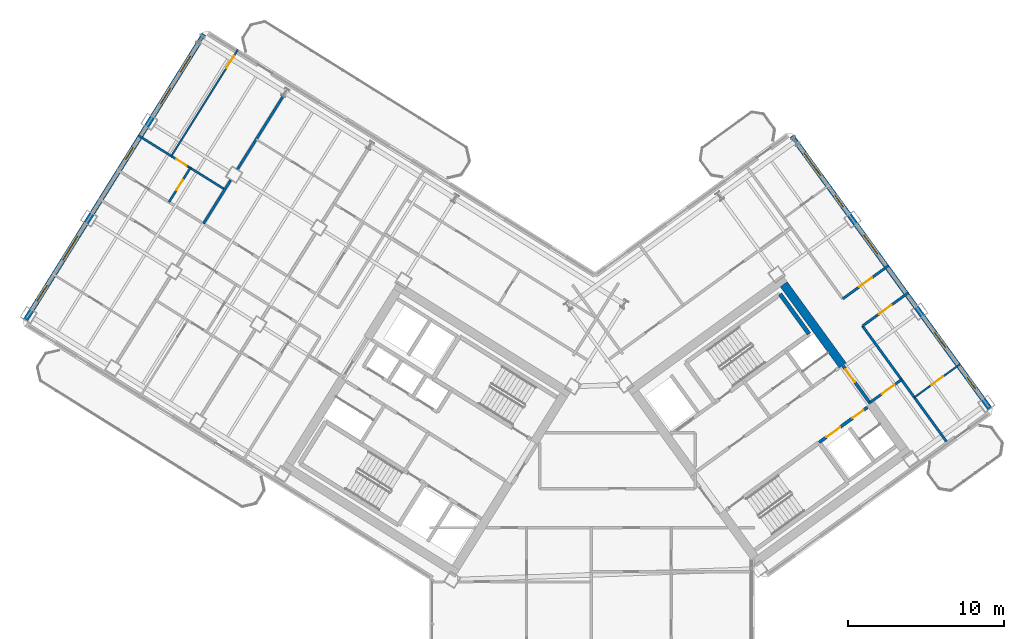
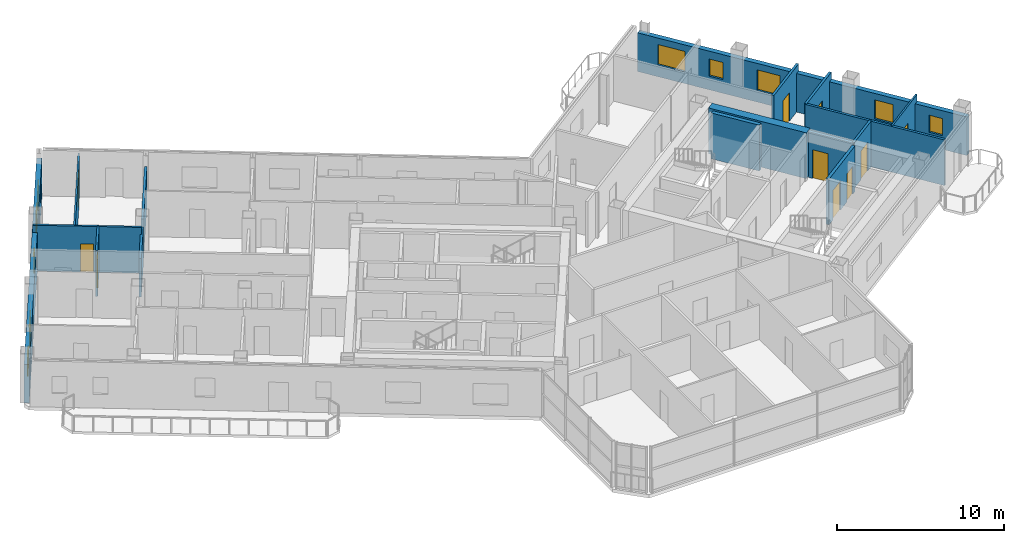
# One storey, part 15 of 21: 16 walls, 10 doors, 10 windows, 20 openings.
"""IFC4 building model written with IfcOpenShell, lengths in metres."""

from ifc_helpers import new_model, si_unit, direction, frame, frame_2d, origin, place, context, subcontext, project, spatial, rectangle, extrude, source, transform, mapped, material, layer, layer_set, type_object, element, fill, save


model = new_model("IFC4")

# Units and contexts
model_context = context("Model", 3, precision=1e-05, world=origin(), true_north=direction((0.0, 1.0)))
body_context = subcontext(model_context, "Body", "Model", "MODEL_VIEW")
ifc_project = project(units=[si_unit("LENGTHUNIT", "METRE"), si_unit("AREAUNIT", "SQUARE_METRE"), si_unit("VOLUMEUNIT", "CUBIC_METRE"), si_unit("PLANEANGLEUNIT", "RADIAN"), si_unit("MASSUNIT", "GRAM", prefix="KILO")], contexts=[model_context])

# Site, building, storey
site_placement = place(None, origin())
site = spatial("IfcSite", under=ifc_project, at=site_placement, CompositionType="ELEMENT")
building_placement = place(site_placement, origin())
building = spatial("IfcBuilding", under=site, at=building_placement, Name="Tlacorven Tower", CompositionType="ELEMENT")
storey_placement = place(building_placement, frame((0.0, 0.0, 184.199951171875)))
storey = spatial("IfcBuildingStorey", under=building, at=storey_placement, Name="L46", CompositionType="ELEMENT", Elevation=184.199951171875)

# Walls
ifc_material_1 = material(Name="Concrete C60/75", Category="concrete")
ifc_layer_1 = layer(ifc_material_1, 0.550048828125)
ifc_layer_set_1 = layer_set([ifc_layer_1], Name="Concrete C60/75")
wall_type_1 = type_object("IfcWallType", Name="WL-COR-550", PredefinedType="SHEAR", material=ifc_layer_set_1)
wall_1_placement = place(storey_placement, frame((58.06396484375, 25.8134765625, 0.0), z_axis=(0.0, 0.0, 1.0), x_axis=(-0.587764933797, 0.809031756236, 0.0)))
element("IfcWall", 1, at=wall_1_placement, inside=storey, type_object=wall_type_1, Name="L46 E core end wall E2.2", PredefinedType="SHEAR", context=body_context, shape_type="SweptSolid", body=[
    extrude(rectangle(XDim=6.425048828125, YDim=0.550048828125, at=frame_2d((3.21240234375, 0.0))), origin(), (0.0, 0.0, 1.0), 3.35009765625),
])
ifc_material_2 = material(Name="Gypsum plasterboard acoustic partition", Category="gypsum")
ifc_layer_2 = layer(ifc_material_2, 0.159912109375)
ifc_layer_set_2 = layer_set([ifc_layer_2], Name="Gypsum plasterboard acoustic partition")
wall_type_2 = type_object("IfcWallType", Name="WL-DEM-160", PredefinedType="PARTITIONING", material=ifc_layer_set_2)
wall_2_placement = place(storey_placement, frame((22.206298828125, 43.048828125, 0.0), z_axis=(0.0, 0.0, 1.0), x_axis=(-0.529919150083, -0.848048167486, 0.0)))
element("IfcWall", 2, at=wall_2_placement, inside=storey, type_object=wall_type_2, Name="L46 WS Demising Wall 2", PredefinedType="PARTITIONING", context=body_context, shape_type="SweptSolid", body=[
    extrude(rectangle(XDim=5.5009765625, YDim=0.159912109375, at=frame_2d((2.75048828125, 0.0))), origin(), (0.0, 0.0, 1.0), 2.824951171875),
])
wall_3_placement = place(storey_placement, frame((18.8544921875, 37.684814453125, 0.0), z_axis=(0.0, 0.0, 1.0), x_axis=(-0.529885466561, -0.848069214349, 0.0)))
element("IfcWall", 3, at=wall_3_placement, inside=storey, type_object=wall_type_2, Name="L46 WS Demising Wall 2", PredefinedType="PARTITIONING", context=body_context, shape_type="SweptSolid", body=[
    extrude(rectangle(XDim=3.287841796875, YDim=0.159912109375, at=frame_2d((1.64404296875, 0.0))), origin(), (0.0, 0.0, 1.0), 2.824951171875),
])

# Wall, opening, door
wall_4_placement = place(storey_placement, frame((59.7978515625, 23.427001953125, 0.0), z_axis=(0.0, 0.0, 1.0), x_axis=(0.809034604122, 0.587761013791, 0.0)))
wall_4 = element("IfcWall", 4, at=wall_4_placement, inside=storey, type_object=wall_type_2, Name="L46 partition 87", PredefinedType="PARTITIONING", context=body_context, shape_type="SweptSolid", body=[
    extrude(rectangle(XDim=2.510009765625, YDim=0.159912109375, at=frame_2d((1.2548828125, 0.0))), origin(), (0.0, 0.0, 1.0), 3.340087890625),
])
opening_1_placement = place(wall_4_placement, frame((0.949951171875, 0.0, 0.0)))
opening_1 = element("IfcOpeningElement", 5, at=opening_1_placement, cuts=wall_4, Name="Opening D11", PredefinedType="OPENING", context=body_context, shape_type="SweptSolid", body=[
    extrude(rectangle(XDim=1.0, YDim=2.10009765625, at=frame_2d((0.5, 1.050048828125))), frame((0.0, 0.08984375, 0.0), z_axis=(0.0, -1.0, 0.0), x_axis=(1.0, 0.0, 0.0)), (0.0, 0.0, 1.0), 0.179931640625),
])
ifc_material_3 = material(Name="Fire-rated steel door assembly", Category="steel")
door_type_1 = type_object("IfcDoorType", Name="DR-FLT-FD60-1000", OperationType="NOTDEFINED", PredefinedType="DOOR", material=ifc_material_3)
shared_shape_1 = source(origin(), body_context, "Body", "SweptSolid", [
    extrude(rectangle(XDim=1.0, YDim=2.10009765625, at=frame_2d((0.5, 1.050048828125))), frame((0.0, 0.02490234375, 0.0), z_axis=(0.0, -1.0, 0.0), x_axis=(1.0, 0.0, 0.0)), (0.0, 0.0, 1.0), 0.050048828125),
])
door_1_placement = place(opening_1_placement, frame((1.0, 0.0, 0.0), z_axis=(0.0, 0.0, 1.0), x_axis=(-1.0, 0.0, 0.0)))
door_1 = element("IfcDoor", 6, at=door_1_placement, inside=storey, type_object=door_type_1, Name="L46 door 056", OperationType="SINGLE_SWING_LEFT", OverallHeight=2.10009765625, OverallWidth=1.0, PredefinedType="DOOR", context=body_context, shape_type="MappedRepresentation", body=[
    mapped(shared_shape_1, transform((0.0, 0.0, 0.0), scale=1.0)),
])
fill(opening_1, door_1)

# Wall
wall_5_placement = place(storey_placement, frame((64.708740234375, 20.93798828125, 0.0), z_axis=(0.0, 0.0, 1.0), x_axis=(-0.587776590479, 0.80902328748, 0.0)))
element("IfcWall", 7, at=wall_5_placement, inside=storey, type_object=wall_type_2, Name="L46 partition 89", PredefinedType="PARTITIONING", context=body_context, shape_type="SweptSolid", body=[
    extrude(rectangle(XDim=9.150146484375, YDim=0.159912109375, at=frame_2d((4.5751953125, 0.0))), origin(), (0.0, 0.0, 1.0), 3.340087890625),
])

# Wall, opening, door
wall_6_placement = place(storey_placement, frame((59.33056640625, 28.340576171875, 0.0), z_axis=(0.0, 0.0, 1.0), x_axis=(0.809003564202, 0.587803736896, 0.0)))
wall_6 = element("IfcWall", 8, at=wall_6_placement, inside=storey, type_object=wall_type_2, Name="L46 partition 92", PredefinedType="PARTITIONING", context=body_context, shape_type="SweptSolid", body=[
    extrude(rectangle(XDim=3.630126953125, YDim=0.159912109375, at=frame_2d((1.81494140625, 0.0))), origin(), (0.0, 0.0, 1.0), 3.340087890625),
])
opening_2_placement = place(wall_6_placement, frame((1.304931640625, 0.0, 0.0)))
opening_2 = element("IfcOpeningElement", 9, at=opening_2_placement, cuts=wall_6, Name="Opening D11", PredefinedType="OPENING", context=body_context, shape_type="SweptSolid", body=[
    extrude(rectangle(XDim=1.0, YDim=2.10009765625, at=frame_2d((0.5, 1.050048828125))), frame((0.0, 0.08984375, 0.0), z_axis=(0.0, -1.0, 0.0), x_axis=(1.0, 0.0, 0.0)), (0.0, 0.0, 1.0), 0.179931640625),
])
door_2_placement = place(opening_2_placement, origin())
door_2 = element("IfcDoor", 10, at=door_2_placement, inside=storey, type_object=door_type_1, Name="L46 door 060", OperationType="SINGLE_SWING_LEFT", OverallHeight=2.10009765625, OverallWidth=1.0, PredefinedType="DOOR", context=body_context, shape_type="MappedRepresentation", body=[
    mapped(shared_shape_1, transform((0.0, 0.0, 0.0), scale=1.0)),
])
fill(opening_2, door_2)

wall_7_placement = place(storey_placement, frame((58.06689453125, 30.080078125, 0.0), z_axis=(0.0, 0.0, 1.0), x_axis=(0.809012309495, 0.587791700422, 0.0)))
wall_7 = element("IfcWall", 11, at=wall_7_placement, inside=storey, type_object=wall_type_2, Name="L46 partition 93", PredefinedType="PARTITIONING", context=body_context, shape_type="SweptSolid", body=[
    extrude(rectangle(XDim=3.6298828125, YDim=0.159912109375, at=frame_2d((1.81494140625, 0.0))), origin(), (0.0, 0.0, 1.0), 3.340087890625),
])
opening_3_placement = place(wall_7_placement, frame((1.304931640625, 0.0, 0.0)))
opening_3 = element("IfcOpeningElement", 12, at=opening_3_placement, cuts=wall_7, Name="Opening D11", PredefinedType="OPENING", context=body_context, shape_type="SweptSolid", body=[
    extrude(rectangle(XDim=1.0, YDim=2.10009765625, at=frame_2d((0.5, 1.050048828125))), frame((0.0, 0.08984375, 0.0), z_axis=(0.0, -1.0, 0.0), x_axis=(1.0, 0.0, 0.0)), (0.0, 0.0, 1.0), 0.179931640625),
])
door_3_placement = place(opening_3_placement, origin())
door_3 = element("IfcDoor", 13, at=door_3_placement, inside=storey, type_object=door_type_1, Name="L46 door 058", OperationType="SINGLE_SWING_LEFT", OverallHeight=2.10009765625, OverallWidth=1.0, PredefinedType="DOOR", context=body_context, shape_type="MappedRepresentation", body=[
    mapped(shared_shape_1, transform((0.0, 0.0, 0.0), scale=1.0)),
])
fill(opening_3, door_3)

# Wall, openings, windows
ifc_material_4 = material(Name="Precast concrete C45/55", Category="concrete")
ifc_layer_3 = layer(ifc_material_4, 0.320068359375)
ifc_layer_set_3 = layer_set([ifc_layer_3], Name="Precast concrete C45/55")
wall_type_3 = type_object("IfcWallType", Name="WL-EXT-320", PredefinedType="STANDARD", material=ifc_layer_set_3)
wall_8_placement = place(storey_placement, frame((5.699951171875, 28.71044921875, 0.0), z_axis=(0.0, 0.0, 1.0), x_axis=(0.529923711467, 0.8480453172, 0.0)))
wall_8 = element("IfcWall", 14, at=wall_8_placement, inside=storey, type_object=wall_type_3, Name="L46 Masonry-Frame Recessed Facade Wall 2", PredefinedType="STANDARD", context=body_context, shape_type="SweptSolid", body=[
    extrude(rectangle(XDim=21.58740234375, YDim=0.320068359375, at=frame_2d((10.793701171875, 0.0))), origin(), (0.0, 0.0, 1.0), 2.824951171875),
])
opening_4_placement = place(wall_8_placement, frame((1.440185546875, 0.0, 0.949951171875)))
opening_4 = element("IfcOpeningElement", 15, at=opening_4_placement, cuts=wall_8, Name="Opening WN03", PredefinedType="OPENING", context=body_context, shape_type="SweptSolid", body=[
    extrude(rectangle(XDim=1.199951171875, YDim=1.39990234375, at=frame_2d((0.60009765625, 0.699951171875))), frame((0.0, 0.169921875, 0.0), z_axis=(0.0, -1.0, 0.0), x_axis=(1.0, 0.0, 0.0)), (0.0, 0.0, 1.0), 0.340087890625),
])
opening_5_placement = place(wall_8_placement, frame((4.545166015625, 0.0, 0.85009765625)))
opening_5 = element("IfcOpeningElement", 16, at=opening_5_placement, cuts=wall_8, Name="Opening WN01", PredefinedType="OPENING", context=body_context, shape_type="SweptSolid", body=[
    extrude(rectangle(XDim=1.800048828125, YDim=1.5, at=frame_2d((0.89990234375, 0.75))), frame((0.0, 0.169921875, 0.0), z_axis=(0.0, -1.0, 0.0), x_axis=(1.0, 0.0, 0.0)), (0.0, 0.0, 1.0), 0.340087890625),
])
opening_6_placement = place(wall_8_placement, frame((12.138671875, 0.0, 1.0)))
opening_6 = element("IfcOpeningElement", 17, at=opening_6_placement, cuts=wall_8, Name="Opening WN05", PredefinedType="OPENING", context=body_context, shape_type="SweptSolid", body=[
    extrude(rectangle(XDim=0.89990234375, YDim=1.25, at=frame_2d((0.449951171875, 0.625))), frame((0.0, 0.169921875, 0.0), z_axis=(0.0, -1.0, 0.0), x_axis=(1.0, 0.0, 0.0)), (0.0, 0.0, 1.0), 0.340087890625),
])
opening_7_placement = place(wall_8_placement, frame((16.35009765625, 0.0, 0.949951171875)))
opening_7 = element("IfcOpeningElement", 18, at=opening_7_placement, cuts=wall_8, Name="Opening WN03", PredefinedType="OPENING", context=body_context, shape_type="SweptSolid", body=[
    extrude(rectangle(XDim=1.199951171875, YDim=1.39990234375, at=frame_2d((0.60009765625, 0.699951171875))), frame((0.0, 0.169921875, 0.0), z_axis=(0.0, -1.0, 0.0), x_axis=(1.0, 0.0, 0.0)), (0.0, 0.0, 1.0), 0.340087890625),
])
opening_8_placement = place(wall_8_placement, frame((18.762451171875, 0.0, 0.949951171875)))
opening_8 = element("IfcOpeningElement", 19, at=opening_8_placement, cuts=wall_8, Name="Opening WN03", PredefinedType="OPENING", context=body_context, shape_type="SweptSolid", body=[
    extrude(rectangle(XDim=1.199951171875, YDim=1.39990234375, at=frame_2d((0.60009765625, 0.699951171875))), frame((0.0, 0.169921875, 0.0), z_axis=(0.0, -1.0, 0.0), x_axis=(1.0, 0.0, 0.0)), (0.0, 0.0, 1.0), 0.340087890625),
])
ifc_material_5 = material(Name="Dark solar low-E double glazing in anodised aluminium frame", Category="aluminium")
window_type_1 = type_object("IfcWindowType", Name="WN-APT-1200X1500", PartitioningType="SINGLE_PANEL", PredefinedType="WINDOW", material=ifc_material_5)
shared_shape_2 = source(origin(), body_context, "Body", "SweptSolid", [
    extrude(rectangle(XDim=1.199951171875, YDim=1.39990234375, at=frame_2d((0.60009765625, 0.699951171875))), frame((0.0, 0.030029296875, 0.0), z_axis=(0.0, -1.0, 0.0), x_axis=(1.0, 0.0, 0.0)), (0.0, 0.0, 1.0), 0.06005859375),
])
window_1_placement = place(opening_4_placement, origin())
window_1 = element("IfcWindow", 20, at=window_1_placement, inside=storey, type_object=window_type_1, Name="L46 Recessed Masonry-Frame Window L46-02.1", OverallHeight=1.39990234375, OverallWidth=1.199951171875, PartitioningType="SINGLE_PANEL", PredefinedType="WINDOW", context=body_context, shape_type="MappedRepresentation", body=[
    mapped(shared_shape_2, transform((0.0, 0.0, 0.0), scale=1.0)),
])
fill(opening_4, window_1)
window_2_placement = place(opening_7_placement, origin())
window_2 = element("IfcWindow", 21, at=window_2_placement, inside=storey, type_object=window_type_1, Name="L46 Recessed Masonry-Frame Window L46-02.4", OverallHeight=1.39990234375, OverallWidth=1.199951171875, PartitioningType="SINGLE_PANEL", PredefinedType="WINDOW", context=body_context, shape_type="MappedRepresentation", body=[
    mapped(shared_shape_2, transform((0.0, 0.0, 0.0), scale=1.0)),
])
fill(opening_7, window_2)
window_3_placement = place(opening_8_placement, origin())
window_3 = element("IfcWindow", 22, at=window_3_placement, inside=storey, type_object=window_type_1, Name="L46 Recessed Masonry-Frame Window L46-02.5", OverallHeight=1.39990234375, OverallWidth=1.199951171875, PartitioningType="SINGLE_PANEL", PredefinedType="WINDOW", context=body_context, shape_type="MappedRepresentation", body=[
    mapped(shared_shape_2, transform((0.0, 0.0, 0.0), scale=1.0)),
])
fill(opening_8, window_3)
window_type_2 = type_object("IfcWindowType", Name="WN-APT-1800X1650", PartitioningType="SINGLE_PANEL", PredefinedType="WINDOW", material=ifc_material_5)
shared_shape_3 = source(origin(), body_context, "Body", "SweptSolid", [
    extrude(rectangle(XDim=1.800048828125, YDim=1.5, at=frame_2d((0.89990234375, 0.75))), frame((0.0, 0.030029296875, 0.0), z_axis=(0.0, -1.0, 0.0), x_axis=(1.0, 0.0, 0.0)), (0.0, 0.0, 1.0), 0.06005859375),
])
window_4_placement = place(opening_5_placement, origin())
window_4 = element("IfcWindow", 23, at=window_4_placement, inside=storey, type_object=window_type_2, Name="L46 Recessed Masonry-Frame Window L46-02.2", OverallHeight=1.5, OverallWidth=1.800048828125, PartitioningType="SINGLE_PANEL", PredefinedType="WINDOW", context=body_context, shape_type="MappedRepresentation", body=[
    mapped(shared_shape_3, transform((0.0, 0.0, 0.0), scale=1.0)),
])
fill(opening_5, window_4)
window_type_3 = type_object("IfcWindowType", Name="WN-APT-0900X1350", PartitioningType="SINGLE_PANEL", PredefinedType="WINDOW", material=ifc_material_5)
shared_shape_4 = source(origin(), body_context, "Body", "SweptSolid", [
    extrude(rectangle(XDim=0.89990234375, YDim=1.25, at=frame_2d((0.449951171875, 0.625))), frame((0.0, 0.030029296875, 0.0), z_axis=(0.0, -1.0, 0.0), x_axis=(1.0, 0.0, 0.0)), (0.0, 0.0, 1.0), 0.06005859375),
])
window_5_placement = place(opening_6_placement, origin())
window_5 = element("IfcWindow", 24, at=window_5_placement, inside=storey, type_object=window_type_3, Name="L46 Recessed Masonry-Frame Window L46-02.3", OverallHeight=1.25, OverallWidth=0.89990234375, PartitioningType="SINGLE_PANEL", PredefinedType="WINDOW", context=body_context, shape_type="MappedRepresentation", body=[
    mapped(shared_shape_4, transform((0.0, 0.0, 0.0), scale=1.0)),
])
fill(opening_6, window_5)

wall_9_placement = place(storey_placement, frame((54.810302734375, 40.49951171875, 0.0), z_axis=(0.0, 0.0, 1.0), x_axis=(0.587783625747, -0.809018176127, 0.0)))
wall_9 = element("IfcWall", 25, at=wall_9_placement, inside=storey, type_object=wall_type_3, Name="L46 Masonry-Frame Recessed Facade Wall 5", PredefinedType="STANDARD", context=body_context, shape_type="SweptSolid", body=[
    extrude(rectangle(XDim=21.58740234375, YDim=0.320068359375, at=frame_2d((10.793701171875, 0.0))), origin(), (0.0, 0.0, 1.0), 2.824951171875),
])
opening_9_placement = place(wall_9_placement, frame((1.32763671875, 0.0, 0.85009765625)))
opening_9 = element("IfcOpeningElement", 26, at=opening_9_placement, cuts=wall_9, Name="Opening WN01", PredefinedType="OPENING", context=body_context, shape_type="SweptSolid", body=[
    extrude(rectangle(XDim=1.800048828125, YDim=1.5, at=frame_2d((0.89990234375, 0.75))), frame((0.0, 0.169921875, 0.0), z_axis=(0.0, -1.0, 0.0), x_axis=(1.0, 0.0, 0.0)), (0.0, 0.0, 1.0), 0.340087890625),
])
opening_10_placement = place(wall_9_placement, frame((4.6953125, 0.0, 1.0)))
opening_10 = element("IfcOpeningElement", 27, at=opening_10_placement, cuts=wall_9, Name="Opening WN05", PredefinedType="OPENING", context=body_context, shape_type="SweptSolid", body=[
    extrude(rectangle(XDim=0.89990234375, YDim=1.25, at=frame_2d((0.449951171875, 0.625))), frame((0.0, 0.169921875, 0.0), z_axis=(0.0, -1.0, 0.0), x_axis=(1.0, 0.0, 0.0)), (0.0, 0.0, 1.0), 0.340087890625),
])
opening_11_placement = place(wall_9_placement, frame((7.82861328125, 0.0, 0.85009765625)))
opening_11 = element("IfcOpeningElement", 28, at=opening_11_placement, cuts=wall_9, Name="Opening WN02", PredefinedType="OPENING", context=body_context, shape_type="SweptSolid", body=[
    extrude(rectangle(XDim=1.5, YDim=1.5, at=frame_2d((0.75, 0.75))), frame((0.0, 0.169921875, 0.0), z_axis=(0.0, -1.0, 0.0), x_axis=(1.0, 0.0, 0.0)), (0.0, 0.0, 1.0), 0.340087890625),
])
opening_12_placement = place(wall_9_placement, frame((15.542236328125, 0.0, 0.949951171875)))
opening_12 = element("IfcOpeningElement", 29, at=opening_12_placement, cuts=wall_9, Name="Opening WN03", PredefinedType="OPENING", context=body_context, shape_type="SweptSolid", body=[
    extrude(rectangle(XDim=1.199951171875, YDim=1.39990234375, at=frame_2d((0.60009765625, 0.699951171875))), frame((0.0, 0.169921875, 0.0), z_axis=(0.0, -1.0, 0.0), x_axis=(1.0, 0.0, 0.0)), (0.0, 0.0, 1.0), 0.340087890625),
])
opening_13_placement = place(wall_9_placement, frame((19.09716796875, 0.0, 1.0)))
opening_13 = element("IfcOpeningElement", 30, at=opening_13_placement, cuts=wall_9, Name="Opening WN05", PredefinedType="OPENING", context=body_context, shape_type="SweptSolid", body=[
    extrude(rectangle(XDim=0.89990234375, YDim=1.25, at=frame_2d((0.449951171875, 0.625))), frame((0.0, 0.169921875, 0.0), z_axis=(0.0, -1.0, 0.0), x_axis=(1.0, 0.0, 0.0)), (0.0, 0.0, 1.0), 0.340087890625),
])
window_6_placement = place(opening_12_placement, origin())
window_6 = element("IfcWindow", 31, at=window_6_placement, inside=storey, type_object=window_type_1, Name="L46 Recessed Masonry-Frame Window L46-05.4", OverallHeight=1.39990234375, OverallWidth=1.199951171875, PartitioningType="SINGLE_PANEL", PredefinedType="WINDOW", context=body_context, shape_type="MappedRepresentation", body=[
    mapped(shared_shape_2, transform((0.0, 0.0, 0.0), scale=1.0)),
])
fill(opening_12, window_6)
window_7_placement = place(opening_9_placement, origin())
window_7 = element("IfcWindow", 32, at=window_7_placement, inside=storey, type_object=window_type_2, Name="L46 Recessed Masonry-Frame Window L46-05.1", OverallHeight=1.5, OverallWidth=1.800048828125, PartitioningType="SINGLE_PANEL", PredefinedType="WINDOW", context=body_context, shape_type="MappedRepresentation", body=[
    mapped(shared_shape_3, transform((0.0, 0.0, 0.0), scale=1.0)),
])
fill(opening_9, window_7)
window_type_4 = type_object("IfcWindowType", Name="WN-APT-1500X1650", PartitioningType="SINGLE_PANEL", PredefinedType="WINDOW", material=ifc_material_5)
shared_shape_5 = source(origin(), body_context, "Body", "SweptSolid", [
    extrude(rectangle(XDim=1.5, YDim=1.5, at=frame_2d((0.75, 0.75))), frame((0.0, 0.030029296875, 0.0), z_axis=(0.0, -1.0, 0.0), x_axis=(1.0, 0.0, 0.0)), (0.0, 0.0, 1.0), 0.06005859375),
])
window_8_placement = place(opening_11_placement, origin())
window_8 = element("IfcWindow", 33, at=window_8_placement, inside=storey, type_object=window_type_4, Name="L46 Recessed Masonry-Frame Window L46-05.3", OverallHeight=1.5, OverallWidth=1.5, PartitioningType="SINGLE_PANEL", PredefinedType="WINDOW", context=body_context, shape_type="MappedRepresentation", body=[
    mapped(shared_shape_5, transform((0.0, 0.0, 0.0), scale=1.0)),
])
fill(opening_11, window_8)
window_9_placement = place(opening_10_placement, origin())
window_9 = element("IfcWindow", 34, at=window_9_placement, inside=storey, type_object=window_type_3, Name="L46 Recessed Masonry-Frame Window L46-05.2", OverallHeight=1.25, OverallWidth=0.89990234375, PartitioningType="SINGLE_PANEL", PredefinedType="WINDOW", context=body_context, shape_type="MappedRepresentation", body=[
    mapped(shared_shape_4, transform((0.0, 0.0, 0.0), scale=1.0)),
])
fill(opening_10, window_9)
window_10_placement = place(opening_13_placement, origin())
window_10 = element("IfcWindow", 35, at=window_10_placement, inside=storey, type_object=window_type_3, Name="L46 Recessed Masonry-Frame Window L46-05.5", OverallHeight=1.25, OverallWidth=0.89990234375, PartitioningType="SINGLE_PANEL", PredefinedType="WINDOW", context=body_context, shape_type="MappedRepresentation", body=[
    mapped(shared_shape_4, transform((0.0, 0.0, 0.0), scale=1.0)),
])
fill(opening_13, window_10)

# Wall, opening, door
ifc_material_6 = material(Name="Gypsum plasterboard partition", Category="gypsum")
ifc_layer_4 = layer(ifc_material_6, 0.110107421875)
ifc_layer_set_4 = layer_set([ifc_layer_4], Name="Gypsum plasterboard partition")
wall_type_4 = type_object("IfcWallType", Name="WL-INT-110", PredefinedType="PARTITIONING", material=ifc_layer_set_4)
wall_10_placement = place(storey_placement, frame((19.312255859375, 46.044677734375, 0.0), z_axis=(0.0, 0.0, 1.0), x_axis=(-0.529933431478, -0.848039243315, 0.0)))
wall_10 = element("IfcWall", 36, at=wall_10_placement, inside=storey, type_object=wall_type_4, Name="L46 partition 65", PredefinedType="PARTITIONING", context=body_context, shape_type="SweptSolid", body=[
    extrude(rectangle(XDim=8.0400390625, YDim=0.110107421875, at=frame_2d((4.02001953125, 0.0))), origin(), (0.0, 0.0, 1.0), 2.9951171875),
])
opening_14_placement = place(wall_10_placement, frame((0.469970703125, 0.0, 0.0)))
opening_14 = element("IfcOpeningElement", 37, at=opening_14_placement, cuts=wall_10, Name="Opening D12", PredefinedType="OPENING", context=body_context, shape_type="SweptSolid", body=[
    extrude(rectangle(XDim=0.919921875, YDim=2.080078125, at=frame_2d((0.4599609375, 1.0400390625))), frame((0.0, 0.06494140625, 0.0), z_axis=(0.0, -1.0, 0.0), x_axis=(1.0, 0.0, 0.0)), (0.0, 0.0, 1.0), 0.130126953125),
])
ifc_material_7 = material(Name="Powder-coated aluminium and timber door", Category="wood")
door_type_2 = type_object("IfcDoorType", Name="DR-INT-ROOM-0920", OperationType="NOTDEFINED", PredefinedType="DOOR", material=ifc_material_7)
shared_shape_6 = source(origin(), body_context, "Body", "SweptSolid", [
    extrude(rectangle(XDim=0.919921875, YDim=2.080078125, at=frame_2d((0.4599609375, 1.0400390625))), frame((0.0, 0.02490234375, 0.0), z_axis=(0.0, -1.0, 0.0), x_axis=(1.0, 0.0, 0.0)), (0.0, 0.0, 1.0), 0.050048828125),
])
door_4_placement = place(opening_14_placement, origin())
door_4 = element("IfcDoor", 38, at=door_4_placement, inside=storey, type_object=door_type_2, Name="L46 door 036", OperationType="SINGLE_SWING_LEFT", OverallHeight=2.080078125, OverallWidth=0.919921875, PredefinedType="DOOR", context=body_context, shape_type="MappedRepresentation", body=[
    mapped(shared_shape_6, transform((0.0, 0.0, 0.0), scale=1.0)),
])
fill(opening_14, door_4)

wall_11_placement = place(storey_placement, frame((62.652587890625, 23.76806640625, 0.0), z_axis=(0.0, 0.0, 1.0), x_axis=(0.809037198293, 0.58775744298, 0.0)))
wall_11 = element("IfcWall", 39, at=wall_11_placement, inside=storey, type_object=wall_type_4, Name="L46 partition 95", PredefinedType="PARTITIONING", context=body_context, shape_type="SweptSolid", body=[
    extrude(rectangle(XDim=3.610107421875, YDim=0.110107421875, at=frame_2d((1.80517578125, 0.0))), origin(), (0.0, 0.0, 1.0), 3.340087890625),
])
opening_15_placement = place(wall_11_placement, frame((1.344970703125, 0.0, 0.0)))
opening_15 = element("IfcOpeningElement", 40, at=opening_15_placement, cuts=wall_11, Name="Opening D12", PredefinedType="OPENING", context=body_context, shape_type="SweptSolid", body=[
    extrude(rectangle(XDim=0.919921875, YDim=2.080078125, at=frame_2d((0.4599609375, 1.0400390625))), frame((0.0, 0.06494140625, 0.0), z_axis=(0.0, -1.0, 0.0), x_axis=(1.0, 0.0, 0.0)), (0.0, 0.0, 1.0), 0.130126953125),
])
door_5_placement = place(opening_15_placement, origin())
door_5 = element("IfcDoor", 41, at=door_5_placement, inside=storey, type_object=door_type_2, Name="L46 door 061", OperationType="SINGLE_SWING_RIGHT", OverallHeight=2.080078125, OverallWidth=0.919921875, PredefinedType="DOOR", context=body_context, shape_type="MappedRepresentation", body=[
    mapped(shared_shape_6, transform((0.0, 0.0, 0.0), scale=1.0)),
])
fill(opening_15, door_5)

ifc_material_8 = material(Name="Moisture-resistant gypsum plumbing wall", Category="gypsum")
ifc_layer_5 = layer(ifc_material_8, 0.139892578125)
ifc_layer_set_5 = layer_set([ifc_layer_5], Name="Moisture-resistant gypsum plumbing wall")
wall_type_5 = type_object("IfcWallType", Name="WL-PLM-140", PredefinedType="PLUMBINGWALL", material=ifc_layer_set_5)
wall_12_placement = place(storey_placement, frame((18.4794921875, 37.08447265625, 0.0), z_axis=(0.0, 0.0, 1.0), x_axis=(-0.848048787466, 0.529918157905, 0.0)))
wall_12 = element("IfcWall", 42, at=wall_12_placement, inside=storey, type_object=wall_type_5, Name="L46 partition 63", PredefinedType="PLUMBINGWALL", context=body_context, shape_type="SweptSolid", body=[
    extrude(rectangle(XDim=6.52001953125, YDim=0.139892578125, at=frame_2d((3.260009765625, 0.0))), origin(), (0.0, 0.0, 1.0), 3.340087890625),
])
opening_16_placement = place(wall_12_placement, frame((2.885009765625, 0.0, 0.0)))
opening_16 = element("IfcOpeningElement", 43, at=opening_16_placement, cuts=wall_12, Name="Opening D22", PredefinedType="OPENING", context=body_context, shape_type="SweptSolid", body=[
    extrude(rectangle(XDim=0.780029296875, YDim=2.050048828125, at=frame_2d((0.39013671875, 1.02490234375))), frame((0.0, 0.080078125, 0.0), z_axis=(0.0, -1.0, 0.0), x_axis=(1.0, 0.0, 0.0)), (0.0, 0.0, 1.0), 0.159912109375),
])
door_type_3 = type_object("IfcDoorType", Name="DR-INT-WET-0780", OperationType="NOTDEFINED", PredefinedType="DOOR", material=ifc_material_7)
shared_shape_7 = source(origin(), body_context, "Body", "SweptSolid", [
    extrude(rectangle(XDim=0.780029296875, YDim=2.050048828125, at=frame_2d((0.39013671875, 1.02490234375))), frame((0.0, 0.02490234375, 0.0), z_axis=(0.0, -1.0, 0.0), x_axis=(1.0, 0.0, 0.0)), (0.0, 0.0, 1.0), 0.050048828125),
])
door_6_placement = place(opening_16_placement, origin())
door_6 = element("IfcDoor", 44, at=door_6_placement, inside=storey, type_object=door_type_3, Name="L46 door 038", OperationType="SINGLE_SWING_LEFT", OverallHeight=2.050048828125, OverallWidth=0.780029296875, PredefinedType="DOOR", context=body_context, shape_type="MappedRepresentation", body=[
    mapped(shared_shape_7, transform((0.0, 0.0, 0.0), scale=1.0)),
])
fill(opening_16, door_6)

wall_13_placement = place(storey_placement, frame((16.267822265625, 38.466552734375, 0.0), z_axis=(0.0, 0.0, 1.0), x_axis=(-0.529913878929, -0.848051461244, 0.0)))
wall_13 = element("IfcWall", 45, at=wall_13_placement, inside=storey, type_object=wall_type_5, Name="L46 partition 64", PredefinedType="PLUMBINGWALL", context=body_context, shape_type="SweptSolid", body=[
    extrude(rectangle(XDim=2.580078125, YDim=0.139892578125, at=frame_2d((1.2900390625, 0.0))), origin(), (0.0, 0.0, 1.0), 3.340087890625),
])
opening_17_placement = place(wall_13_placement, frame((0.89990234375, 0.0, 0.0)))
opening_17 = element("IfcOpeningElement", 46, at=opening_17_placement, cuts=wall_13, Name="Opening D22", PredefinedType="OPENING", context=body_context, shape_type="SweptSolid", body=[
    extrude(rectangle(XDim=0.780029296875, YDim=2.050048828125, at=frame_2d((0.39013671875, 1.02490234375))), frame((0.0, 0.080078125, 0.0), z_axis=(0.0, -1.0, 0.0), x_axis=(1.0, 0.0, 0.0)), (0.0, 0.0, 1.0), 0.159912109375),
])
door_7_placement = place(opening_17_placement, origin())
door_7 = element("IfcDoor", 47, at=door_7_placement, inside=storey, type_object=door_type_3, Name="L46 door 039", OperationType="SINGLE_SWING_RIGHT", OverallHeight=2.050048828125, OverallWidth=0.780029296875, PredefinedType="DOOR", context=body_context, shape_type="MappedRepresentation", body=[
    mapped(shared_shape_7, transform((0.0, 0.0, 0.0), scale=1.0)),
])
fill(opening_17, door_7)

# Wall, openings, doors
ifc_material_9 = material(Name="Concrete C40/50", Category="concrete")
ifc_layer_6 = layer(ifc_material_9, 0.199951171875)
ifc_layer_set_6 = layer_set([ifc_layer_6], Name="Concrete C40/50")
wall_type_6 = type_object("IfcWallType", Name="WL-SHF-200", PredefinedType="STANDARD", material=ifc_layer_set_6)
wall_14_placement = place(storey_placement, frame((56.552978515625, 20.884033203125, 0.0), z_axis=(0.0, 0.0, 1.0), x_axis=(0.809023564264, 0.58777620951, 0.0)))
wall_14 = element("IfcWall", 48, at=wall_14_placement, inside=storey, type_object=wall_type_6, Name="L46 Core E South Lift Shaft Wall", PredefinedType="STANDARD", context=body_context, shape_type="SweptSolid", body=[
    extrude(rectangle(XDim=3.818115234375, YDim=0.199951171875, at=frame_2d((1.9091796875, 0.0))), origin(), (0.0, 0.0, 1.0), 3.340087890625),
])
opening_18_placement = place(wall_14_placement, frame((0.570068359375, 0.0, 0.0)))
opening_18 = element("IfcOpeningElement", 49, at=opening_18_placement, cuts=wall_14, Name="Opening LD01", PredefinedType="OPENING", context=body_context, shape_type="SweptSolid", body=[
    extrude(rectangle(XDim=1.10009765625, YDim=2.14990234375, at=frame_2d((0.550048828125, 1.074951171875))), frame((0.0, 0.10986328125, 0.0), z_axis=(0.0, -1.0, 0.0), x_axis=(1.0, 0.0, 0.0)), (0.0, 0.0, 1.0), 0.219970703125),
])
opening_19_placement = place(wall_14_placement, frame((2.64990234375, 0.0, 0.0)))
opening_19 = element("IfcOpeningElement", 50, at=opening_19_placement, cuts=wall_14, Name="Opening D19", PredefinedType="OPENING", context=body_context, shape_type="SweptSolid", body=[
    extrude(rectangle(XDim=0.860107421875, YDim=2.050048828125, at=frame_2d((0.43017578125, 1.02490234375))), frame((0.0, 0.10986328125, 0.0), z_axis=(0.0, -1.0, 0.0), x_axis=(1.0, 0.0, 0.0)), (0.0, 0.0, 1.0), 0.219970703125),
])
door_type_4 = type_object("IfcDoorType", Name="DR-RSR-FD60-0860", OperationType="NOTDEFINED", PredefinedType="DOOR", material=ifc_material_3)
shared_shape_8 = source(origin(), body_context, "Body", "SweptSolid", [
    extrude(rectangle(XDim=0.860107421875, YDim=2.050048828125, at=frame_2d((0.43017578125, 1.02490234375))), frame((0.0, 0.02490234375, 0.0), z_axis=(0.0, -1.0, 0.0), x_axis=(1.0, 0.0, 0.0)), (0.0, 0.0, 1.0), 0.050048828125),
])
door_8_placement = place(opening_19_placement, origin())
door_8 = element("IfcDoor", 51, at=door_8_placement, inside=storey, type_object=door_type_4, Name="L46 Smoke Extract Riser Access Door", OperationType="SINGLE_SWING_RIGHT", OverallHeight=2.050048828125, OverallWidth=0.860107421875, PredefinedType="DOOR", context=body_context, shape_type="MappedRepresentation", body=[
    mapped(shared_shape_8, transform((0.0, 0.0, 0.0), scale=1.0)),
])
fill(opening_19, door_8)
door_type_5 = type_object("IfcDoorType", Name="DR-LFT-SLID-1100", OperationType="DOUBLE_DOOR_SLIDING", PredefinedType="DOOR", material=ifc_material_3)
shared_shape_9 = source(origin(), body_context, "Body", "SweptSolid", [
    extrude(rectangle(XDim=1.10009765625, YDim=2.14990234375, at=frame_2d((0.550048828125, 1.074951171875))), frame((0.0, 0.02490234375, 0.0), z_axis=(0.0, -1.0, 0.0), x_axis=(1.0, 0.0, 0.0)), (0.0, 0.0, 1.0), 0.050048828125),
])
door_9_placement = place(opening_18_placement, origin())
door_9 = element("IfcDoor", 52, at=door_9_placement, inside=storey, type_object=door_type_5, Name="L46 Lift PL-M4 Sliding Landing Door", OperationType="DOUBLE_DOOR_SLIDING", OverallHeight=2.14990234375, OverallWidth=1.10009765625, PredefinedType="DOOR", context=body_context, shape_type="MappedRepresentation", body=[
    mapped(shared_shape_9, transform((0.0, 0.0, 0.0), scale=1.0)),
])
fill(opening_18, door_9)

# Wall, opening, door
wall_15_placement = place(storey_placement, frame((59.827392578125, 23.386474609375, 0.0), z_axis=(0.0, 0.0, 1.0), x_axis=(-0.587803840107, 0.809003489211, 0.0)))
wall_15 = element("IfcWall", 53, at=wall_15_placement, inside=storey, type_object=wall_type_6, Name="L46 partition 86", PredefinedType="STANDARD", context=body_context, shape_type="SweptSolid", body=[
    extrude(rectangle(XDim=2.960205078125, YDim=0.199951171875, at=frame_2d((1.47998046875, 0.0))), origin(), (0.0, 0.0, 1.0), 3.340087890625),
])
opening_20_placement = place(wall_15_placement, frame((1.679931640625, 0.0, 0.0)))
opening_20 = element("IfcOpeningElement", 54, at=opening_20_placement, cuts=wall_15, Name="Opening D11", PredefinedType="OPENING", context=body_context, shape_type="SweptSolid", body=[
    extrude(rectangle(XDim=1.0, YDim=2.10009765625, at=frame_2d((0.5, 1.050048828125))), frame((0.0, 0.10986328125, 0.0), z_axis=(0.0, -1.0, 0.0), x_axis=(1.0, 0.0, 0.0)), (0.0, 0.0, 1.0), 0.219970703125),
])
door_10_placement = place(opening_20_placement, origin())
door_10 = element("IfcDoor", 55, at=door_10_placement, inside=storey, type_object=door_type_1, Name="L46 door 057", OperationType="SINGLE_SWING_RIGHT", OverallHeight=2.10009765625, OverallWidth=1.0, PredefinedType="DOOR", context=body_context, shape_type="MappedRepresentation", body=[
    mapped(shared_shape_1, transform((0.0, 0.0, 0.0), scale=1.0)),
])
fill(opening_20, door_10)

# Wall
ifc_material_10 = material(Name="Concrete C50/60", Category="concrete")
ifc_layer_7 = layer(ifc_material_10, 0.260009765625)
ifc_layer_set_7 = layer_set([ifc_layer_7], Name="Concrete C50/60")
wall_type_7 = type_object("IfcWallType", Name="WL-STW-260", PredefinedType="SHEAR", material=ifc_layer_set_7)
wall_16_placement = place(storey_placement, frame((55.906494140625, 27.83056640625, 0.0), z_axis=(0.0, 0.0, 1.0), x_axis=(-0.587804123638, 0.809003283204, 0.0)))
element("IfcWall", 56, at=wall_16_placement, inside=storey, type_object=wall_type_7, Name="L46 Stair E1 East Shear Wall", PredefinedType="SHEAR", context=body_context, shape_type="SweptSolid", body=[
    extrude(rectangle(XDim=3.159912109375, YDim=0.260009765625, at=frame_2d((1.580078125, 0.0))), origin(), (0.0, 0.0, 1.0), 3.35009765625),
])

save(model, "model.ifc")
